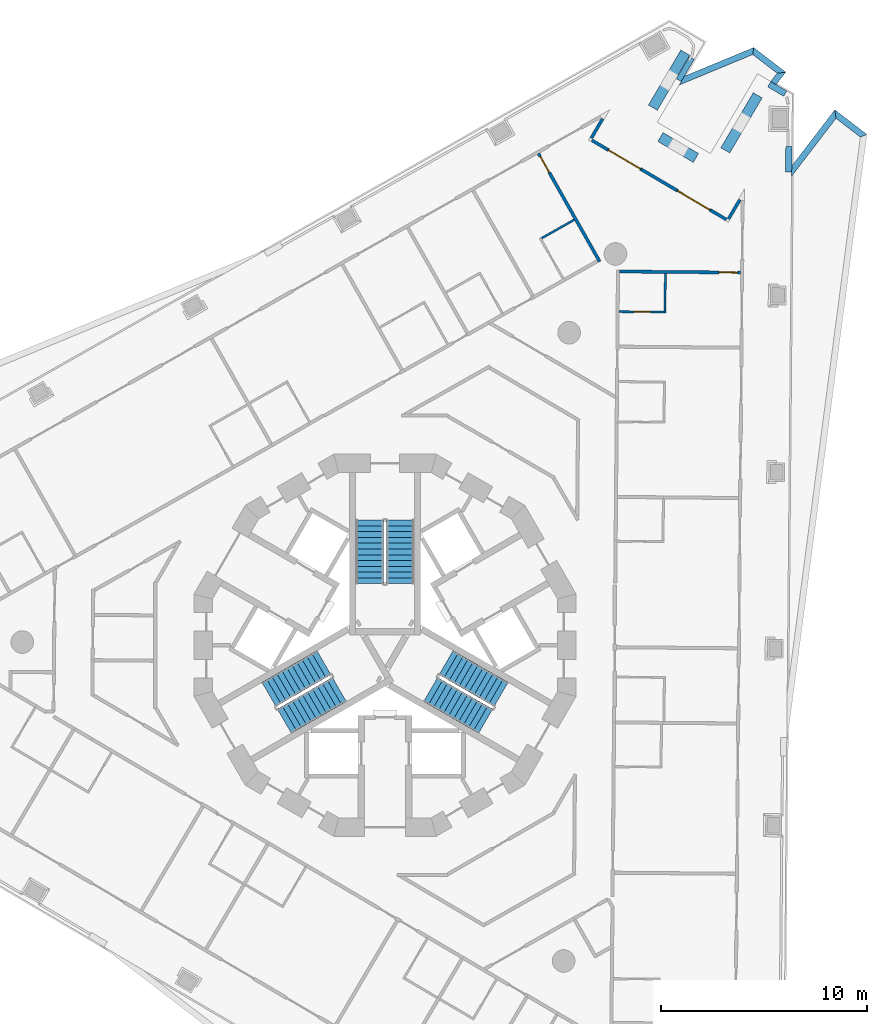
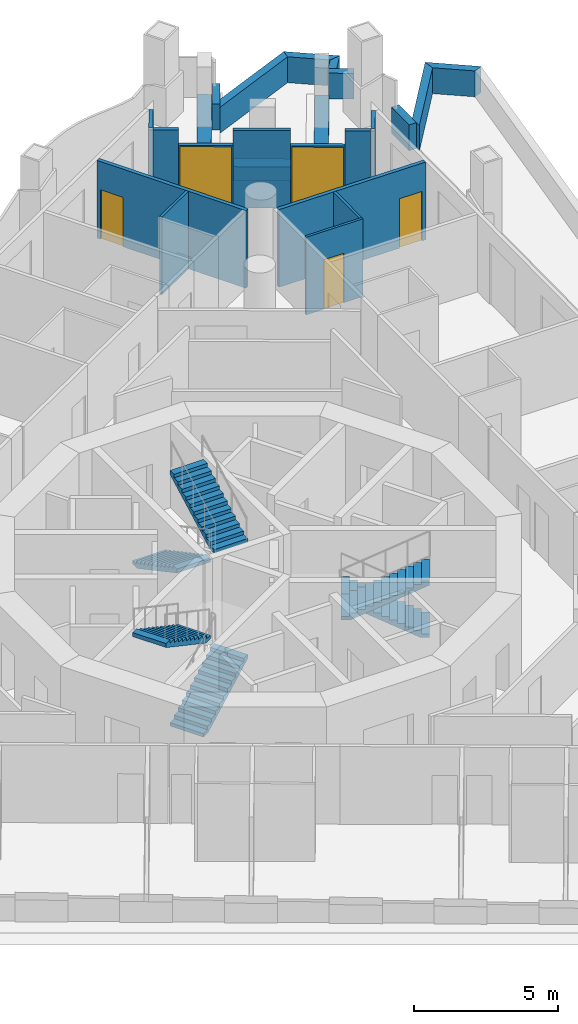
# One storey, part 10 of 18: 23 walls, 6 stair flights, 5 doors, 5 openings, 3 elements without a shape of their own.
"""IFC4 building model written with IfcOpenShell, lengths in metres."""

from ifc_helpers import new_model, si_unit, direction, frame, frame_2d, origin, place, context, subcontext, project, spatial, polyline, rectangle, outline, extrude, material, layer, layer_set, type_object, element, fill, aggregate, save


model = new_model("IFC4")

# Units and contexts
model_context = context("Model", 3, precision=1e-05, world=origin(), true_north=direction((0.0, 1.0)))
body_context = subcontext(model_context, "Body", "Model", "MODEL_VIEW")
ifc_project = project(units=[si_unit("LENGTHUNIT", "METRE"), si_unit("AREAUNIT", "SQUARE_METRE"), si_unit("VOLUMEUNIT", "CUBIC_METRE"), si_unit("PLANEANGLEUNIT", "RADIAN"), si_unit("MASSUNIT", "GRAM", prefix="KILO")], contexts=[model_context])

# Site, building, storey
site_placement = place(None, origin())
site = spatial("IfcSite", under=ifc_project, at=site_placement, CompositionType="ELEMENT")
building_placement = place(site_placement, origin())
building = spatial("IfcBuilding", under=site, at=building_placement, Name="Trine Commons Tower", CompositionType="ELEMENT")
storey_placement = place(building_placement, frame((0.0, 0.0, 161.10009765625)))
storey = spatial("IfcBuildingStorey", under=building, at=storey_placement, Name="L41", CompositionType="ELEMENT", Elevation=161.10009765625)

# Walls
ifc_material_1 = material(Name="Aluminium-framed insulated wall panel", Category="aluminium")
ifc_layer_1 = layer(ifc_material_1, 0.14990234375)
ifc_layer_set_1 = layer_set([ifc_layer_1], Name="Aluminium-framed insulated wall panel")
wall_type_1 = type_object("IfcWallType", Name="Glazed frame wall 150, EI 60", PredefinedType="SOLIDWALL", material=ifc_layer_set_1)
wall_1_placement = place(storey_placement, frame((90.63720703125, 88.173583984375, 0.0), z_axis=(0.0, 0.0, 1.0), x_axis=(-0.507591242276, -0.861598009958, 0.0)))
element("IfcWall", 1, at=wall_1_placement, inside=storey, type_object=wall_type_1, Name="Glazed frame wall R5", PredefinedType="SOLIDWALL", context=body_context, shape_type="SweptSolid", body=[
    extrude(outline(polyline([(0.1494140625, 0.074951171875), (0.1494140625, -0.074951171875), (1.235107421875, -0.074951171875), (1.235107421875, 0.074951171875), (0.1494140625, 0.074951171875)])), origin(), (0.0, 0.0, 1.0), 3.2998046875),
])
wall_2_placement = place(storey_placement, frame((89.9423828125, 87.062744140625, 0.0), z_axis=(0.0, 0.0, 1.0), x_axis=(0.861601384654, -0.50758551394, 0.0)))
element("IfcWall", 2, at=wall_2_placement, inside=storey, type_object=wall_type_1, Name="Glazed frame wall P2.1", PredefinedType="SOLIDWALL", context=body_context, shape_type="SweptSolid", body=[
    extrude(outline(polyline([(0.110107421875, -0.074951171875), (1.0, -0.074951171875), (1.0, 0.074951171875), (0.110107421875, 0.074951171875), (0.110107421875, -0.074951171875)])), origin(), (0.0, 0.0, 1.0), 3.2998046875),
])

# Wall, opening, door
wall_3_placement = place(storey_placement, frame((90.803955078125, 86.55517578125, 0.0), z_axis=(0.0, 0.0, 1.0), x_axis=(0.861603693734, -0.50758159437, 0.0)))
wall_3 = element("IfcWall", 3, at=wall_3_placement, inside=storey, type_object=wall_type_1, Name="Glazed frame wall P2.2", PredefinedType="SOLIDWALL", context=body_context, shape_type="SweptSolid", body=[
    extrude(outline(polyline([(0.0, -0.074951171875), (1.89990234375, -0.074951171875), (1.89990234375, 0.074951171875), (0.0, 0.074951171875), (0.0, -0.074951171875)])), origin(), (0.0, 0.0, 1.0), 2.64990234375),
])
opening_1_placement = place(wall_3_placement, frame((0.050048828125, 0.0, 0.0)))
opening_1 = element("IfcOpeningElement", 4, at=opening_1_placement, cuts=wall_3, Name="Opening BD-5P2-01", PredefinedType="OPENING", context=body_context, shape_type="SweptSolid", body=[
    extrude(rectangle(XDim=1.800048828125, YDim=2.60009765625, at=frame_2d((0.89990234375, 1.300048828125))), frame((0.0, 0.0849609375, 0.0), z_axis=(0.0, -1.0, 0.0), x_axis=(1.0, 0.0, 0.0)), (0.0, 0.0, 1.0), 0.169921875),
])
ifc_material_2 = material(Name="Anodised aluminium frame with double glazing", Category="aluminium")
door_type_1 = type_object("IfcDoorType", Name="Sliding loggia door 1800x2600", OperationType="SLIDING_TO_LEFT", PredefinedType="DOOR", material=ifc_material_2)
door_1_placement = place(opening_1_placement, origin())
door_1 = element("IfcDoor", 5, at=door_1_placement, inside=storey, type_object=door_type_1, Name="Loggia door P2 1", OperationType="SLIDING_TO_LEFT", OverallHeight=2.60009765625, OverallWidth=1.800048828125, PredefinedType="DOOR", context=body_context, shape_type="SweptSolid", body=[
    extrude(rectangle(XDim=1.800048828125, YDim=2.60009765625, at=frame_2d((0.89990234375, 1.300048828125))), frame((0.0, 0.02490234375, 0.0), z_axis=(0.0, -1.0, 0.0), x_axis=(1.0, 0.0, 0.0)), (0.0, 0.0, 1.0), 0.050048828125),
])
fill(opening_1, door_1)

# Wall
wall_4_placement = place(storey_placement, frame((92.44091796875, 85.5908203125, 0.0), z_axis=(0.0, 0.0, 1.0), x_axis=(0.861632831324, -0.507532130988, 0.0)))
element("IfcWall", 6, at=wall_4_placement, inside=storey, type_object=wall_type_1, Name="Glazed frame wall P2.3", PredefinedType="SOLIDWALL", context=body_context, shape_type="SweptSolid", body=[
    extrude(outline(polyline([(0.0, -0.074951171875), (2.0, -0.074951171875), (2.0, 0.074951171875), (0.0, 0.074951171875), (0.0, -0.074951171875)])), origin(), (0.0, 0.0, 1.0), 3.2998046875),
])

# Wall, opening, door
wall_5_placement = place(storey_placement, frame((94.164306640625, 84.57568359375, 0.0), z_axis=(0.0, 0.0, 1.0), x_axis=(0.86165989029, -0.507486190418, 0.0)))
wall_5 = element("IfcWall", 7, at=wall_5_placement, inside=storey, type_object=wall_type_1, Name="Glazed frame wall P2.4", PredefinedType="SOLIDWALL", context=body_context, shape_type="SweptSolid", body=[
    extrude(outline(polyline([(0.0, -0.074951171875), (1.89990234375, -0.074951171875), (1.89990234375, 0.074951171875), (0.0, 0.074951171875), (0.0, -0.074951171875)])), origin(), (0.0, 0.0, 1.0), 2.64990234375),
])
opening_2_placement = place(wall_5_placement, frame((0.050048828125, 0.0, 0.0)))
opening_2 = element("IfcOpeningElement", 8, at=opening_2_placement, cuts=wall_5, Name="Opening BD-5P2-02", PredefinedType="OPENING", context=body_context, shape_type="SweptSolid", body=[
    extrude(rectangle(XDim=1.800048828125, YDim=2.60009765625, at=frame_2d((0.89990234375, 1.300048828125))), frame((0.0, 0.0849609375, 0.0), z_axis=(0.0, -1.0, 0.0), x_axis=(1.0, 0.0, 0.0)), (0.0, 0.0, 1.0), 0.169921875),
])
door_2_placement = place(opening_2_placement, origin())
door_2 = element("IfcDoor", 9, at=door_2_placement, inside=storey, type_object=door_type_1, Name="Loggia door P2 2", OperationType="SLIDING_TO_LEFT", OverallHeight=2.60009765625, OverallWidth=1.800048828125, PredefinedType="DOOR", context=body_context, shape_type="SweptSolid", body=[
    extrude(rectangle(XDim=1.800048828125, YDim=2.60009765625, at=frame_2d((0.89990234375, 1.300048828125))), frame((0.0, 0.02490234375, 0.0), z_axis=(0.0, -1.0, 0.0), x_axis=(1.0, 0.0, 0.0)), (0.0, 0.0, 1.0), 0.050048828125),
])
fill(opening_2, door_2)

# Walls
wall_6_placement = place(storey_placement, frame((95.80126953125, 83.611572265625, 0.0), z_axis=(0.0, 0.0, 1.0), x_axis=(0.861664268073, -0.507478757315, 0.0)))
element("IfcWall", 10, at=wall_6_placement, inside=storey, type_object=wall_type_1, Name="Glazed frame wall P2.5", PredefinedType="SOLIDWALL", context=body_context, shape_type="SweptSolid", body=[
    extrude(outline(polyline([(0.889892578125, 0.074951171875), (0.0, 0.074951171875), (0.0, -0.074951171875), (0.889892578125, -0.074951171875), (0.889892578125, 0.074951171875)])), origin(), (0.0, 0.0, 1.0), 3.2998046875),
])
wall_7_placement = place(storey_placement, frame((96.614990234375, 83.091552734375, 0.0), z_axis=(0.0, 0.0, 1.0), x_axis=(0.507511857062, 0.86164477306, 0.0)))
element("IfcWall", 11, at=wall_7_placement, inside=storey, type_object=wall_type_1, Name="Glazed frame wall R7", PredefinedType="SOLIDWALL", context=body_context, shape_type="SweptSolid", body=[
    extrude(outline(polyline([(0.110107421875, 0.074951171875), (0.110107421875, -0.074951171875), (1.19580078125, -0.074951171875), (1.19580078125, 0.074951171875), (0.110107421875, 0.074951171875)])), origin(), (0.0, 0.0, 1.0), 3.2998046875),
])
ifc_material_3 = material(Name="Planter trough, precast concrete C40/50", Category="concrete")
ifc_layer_2 = layer(ifc_material_3, 0.5)
ifc_layer_set_2 = layer_set([ifc_layer_2], Name="Planter trough, precast concrete C40/50")
wall_type_2 = type_object("IfcWallType", Name="Planter trough 500x600", PredefinedType="PARAPET", material=ifc_layer_set_2)
wall_8_placement = place(storey_placement, frame((94.572509765625, 91.25830078125, 0.0), z_axis=(0.0, 0.0, 1.0), x_axis=(-0.507587916184, -0.861599969443, 0.0)))
element("IfcWall", 12, at=wall_8_placement, inside=storey, type_object=wall_type_2, Name="Planter 4", PredefinedType="PARAPET", context=body_context, shape_type="SweptSolid", body=[
    extrude(rectangle(XDim=3.099853515625, YDim=0.5, at=frame_2d((1.5498046875, 0.0))), origin(), (0.0, 0.0, 1.0), 0.599853515625),
])
wall_9_placement = place(storey_placement, frame((93.3671875, 87.163330078125, 0.0), z_axis=(0.0, 0.0, 1.0), x_axis=(0.861632831324, -0.507532130988, 0.0)))
element("IfcWall", 13, at=wall_9_placement, inside=storey, type_object=wall_type_2, Name="Planter 5", PredefinedType="PARAPET", context=body_context, shape_type="SweptSolid", body=[
    extrude(rectangle(XDim=2.000244140625, YDim=0.5, at=frame_2d((1.0, 0.0))), origin(), (0.0, 0.0, 1.0), 0.599853515625),
])
wall_10_placement = place(storey_placement, frame((96.514404296875, 86.5166015625, 0.0), z_axis=(0.0, 0.0, 1.0), x_axis=(0.507587916184, 0.861599969443, 0.0)))
element("IfcWall", 14, at=wall_10_placement, inside=storey, type_object=wall_type_2, Name="Planter 6", PredefinedType="PARAPET", context=body_context, shape_type="SweptSolid", body=[
    extrude(rectangle(XDim=3.099853515625, YDim=0.5, at=frame_2d((1.5498046875, 0.0))), origin(), (0.0, 0.0, 1.0), 0.599853515625),
])
ifc_material_4 = material(Name="Limestone, honed", Category="masonry")
ifc_layer_3 = layer(ifc_material_4, 0.300048828125)
ifc_layer_set_3 = layer_set([ifc_layer_3], Name="Limestone, honed")
wall_type_3 = type_object("IfcWallType", Name="Stone parapet 300", PredefinedType="PARAPET", material=ifc_layer_set_3)
wall_11_placement = place(storey_placement, origin())
element("IfcWall", 15, at=wall_11_placement, inside=storey, type_object=wall_type_3, Name="Sliver roof parapet L40 5.1", PredefinedType="PARAPET", context=body_context, shape_type="SweptSolid", body=[
    extrude(outline(polyline([(98.98388671875, 89.704345703125), (99.450927734375, 90.31298828125), (99.0302734375, 90.257568359375), (98.723388671875, 89.857666015625), (98.98388671875, 89.704345703125)])), origin(), (0.0, 0.0, 1.0), 1.099853515625),
])
wall_12_placement = place(storey_placement, origin())
element("IfcWall", 16, at=wall_12_placement, inside=storey, type_object=wall_type_3, Name="Sliver roof parapet L40 5.2", PredefinedType="PARAPET", context=body_context, shape_type="SweptSolid", body=[
    extrude(outline(polyline([(99.450927734375, 90.31298828125), (97.892578125, 91.508544921875), (97.847412109375, 91.165283203125), (99.0302734375, 90.257568359375), (99.450927734375, 90.31298828125)])), origin(), (0.0, 0.0, 1.0), 1.099853515625),
])
wall_13_placement = place(storey_placement, origin())
element("IfcWall", 17, at=wall_13_placement, inside=storey, type_object=wall_type_3, Name="Sliver roof parapet L40 5.3", PredefinedType="PARAPET", context=body_context, shape_type="SweptSolid", body=[
    extrude(outline(polyline([(97.892578125, 91.508544921875), (94.524658203125, 90.113525390625), (94.271728515625, 89.68408203125), (97.847412109375, 91.165283203125), (97.892578125, 91.508544921875)])), origin(), (0.0, 0.0, 1.0), 1.099853515625),
])
wall_14_placement = place(storey_placement, origin())
element("IfcWall", 18, at=wall_14_placement, inside=storey, type_object=wall_type_3, Name="Sliver roof parapet extension L40 5.X1", PredefinedType="PARAPET", context=body_context, shape_type="SweptSolid", body=[
    extrude(outline(polyline([(99.3486328125, 89.141357421875), (99.5009765625, 89.39990234375), (98.725341796875, 89.856689453125), (98.572998046875, 89.59814453125), (99.3486328125, 89.141357421875)])), origin(), (0.0, 0.0, 1.0), 1.099853515625),
])
wall_15_placement = place(storey_placement, origin())
element("IfcWall", 19, at=wall_15_placement, inside=storey, type_object=wall_type_3, Name="Sliver roof parapet extension L40 5.X2", PredefinedType="PARAPET", context=body_context, shape_type="SweptSolid", body=[
    extrude(outline(polyline([(94.139892578125, 89.9921875), (94.37255859375, 89.85498046875), (95.0068359375, 90.93212890625), (94.7744140625, 91.069091796875), (94.139892578125, 89.9921875)])), origin(), (0.0, 0.0, 1.0), 1.099853515625),
])
wall_16_placement = place(storey_placement, origin())
element("IfcWall", 20, at=wall_16_placement, inside=storey, type_object=wall_type_3, Name="Sliver roof parapet L40 6.2", PredefinedType="PARAPET", context=body_context, shape_type="SweptSolid", body=[
    extrude(outline(polyline([(103.38916015625, 87.291015625), (101.8310546875, 88.48681640625), (101.886474609375, 88.066162109375), (103.069091796875, 87.158447265625), (103.38916015625, 87.291015625)])), origin(), (0.0, 0.0, 1.0), 1.099853515625),
])
wall_17_placement = place(storey_placement, origin())
element("IfcWall", 21, at=wall_17_placement, inside=storey, type_object=wall_type_3, Name="Sliver roof parapet L40 6.3", PredefinedType="PARAPET", context=body_context, shape_type="SweptSolid", body=[
    extrude(outline(polyline([(101.8310546875, 88.48681640625), (99.7412109375, 85.76318359375), (99.73681640625, 85.264892578125), (101.886474609375, 88.066162109375), (101.8310546875, 88.48681640625)])), origin(), (0.0, 0.0, 1.0), 1.099853515625),
])
wall_18_placement = place(storey_placement, origin())
element("IfcWall", 22, at=wall_18_placement, inside=storey, type_object=wall_type_3, Name="Sliver roof parapet extension L40 6.X2", PredefinedType="PARAPET", context=body_context, shape_type="SweptSolid", body=[
    extrude(outline(polyline([(99.438720703125, 85.4658203125), (99.73876953125, 85.46337890625), (99.74951171875, 86.71337890625), (99.44970703125, 86.7158203125), (99.438720703125, 85.4658203125)])), origin(), (0.0, 0.0, 1.0), 1.099853515625),
])

# Wall, opening, door
ifc_material_5 = material(Name="Gypsum plasterboard on steel stud", Category="steel")
ifc_layer_4 = layer(ifc_material_5, 0.14990234375)
ifc_layer_set_4 = layer_set([ifc_layer_4], Name="Gypsum plasterboard on steel stud")
wall_type_4 = type_object("IfcWallType", Name="Unit and corridor wall 150 mm, EI 60", PredefinedType="PARTITIONING", material=ifc_layer_set_4)
wall_19_placement = place(storey_placement, frame((87.45263671875, 86.361083984375, 0.0), z_axis=(0.0, 0.0, 1.0), x_axis=(0.492389730591, -0.870374834889, 0.0)))
wall_19 = element("IfcWall", 23, at=wall_19_placement, inside=storey, type_object=wall_type_4, Name="Partition 096", PredefinedType="PARTITIONING", context=body_context, shape_type="SweptSolid", body=[
    extrude(rectangle(XDim=6.0244140625, YDim=0.14990234375, at=frame_2d((3.01220703125, 0.0))), origin(), (0.0, 0.0, 1.0), 3.2998046875),
])
opening_3_placement = place(wall_19_placement, frame((0.14990234375, 0.0, 0.0)))
opening_3 = element("IfcOpeningElement", 24, at=opening_3_placement, cuts=wall_19, Name="Opening D-5A12", PredefinedType="OPENING", context=body_context, shape_type="SweptSolid", body=[
    extrude(rectangle(XDim=0.89990234375, YDim=2.10009765625, at=frame_2d((0.449951171875, 1.050048828125))), frame((0.0, 0.0849609375, 0.0), z_axis=(0.0, -1.0, 0.0), x_axis=(1.0, 0.0, 0.0)), (0.0, 0.0, 1.0), 0.169921875),
])
ifc_material_6 = material(Name="Timber fire door set", Category="wood")
door_type_2 = type_object("IfcDoorType", Name="Bedroom door 900 x 2100, FD30S", OperationType="NOTDEFINED", PredefinedType="DOOR", material=ifc_material_6)
door_3_placement = place(opening_3_placement, frame((0.89990234375, 0.0, 0.0), z_axis=(0.0, 0.0, 1.0), x_axis=(-1.0, 0.0, 0.0)))
door_3 = element("IfcDoor", 25, at=door_3_placement, inside=storey, type_object=door_type_2, Name="Door D-5A12", OperationType="SINGLE_SWING_RIGHT", OverallHeight=2.10009765625, OverallWidth=0.89990234375, PredefinedType="DOOR", context=body_context, shape_type="SweptSolid", body=[
    extrude(rectangle(XDim=0.89990234375, YDim=2.10009765625, at=frame_2d((0.449951171875, 1.050048828125))), frame((0.0, 0.02490234375, 0.0), z_axis=(0.0, -1.0, 0.0), x_axis=(1.0, 0.0, 0.0)), (0.0, 0.0, 1.0), 0.050048828125),
])
fill(opening_3, door_3)

wall_20_placement = place(storey_placement, frame((91.382080078125, 80.63720703125, 0.0), z_axis=(0.0, 0.0, 1.0), x_axis=(0.999962273479, -0.008686289076, 0.0)))
wall_20 = element("IfcWall", 26, at=wall_20_placement, inside=storey, type_object=wall_type_4, Name="Partition 132", PredefinedType="PARTITIONING", context=body_context, shape_type="SweptSolid", body=[
    extrude(rectangle(XDim=5.874267578125, YDim=0.14990234375, at=frame_2d((2.93701171875, 0.0))), origin(), (0.0, 0.0, 1.0), 3.2998046875),
])
opening_4_placement = place(wall_20_placement, frame((4.82421875, 0.0, 0.0)))
opening_4 = element("IfcOpeningElement", 27, at=opening_4_placement, cuts=wall_20, Name="Opening D-5A13", PredefinedType="OPENING", context=body_context, shape_type="SweptSolid", body=[
    extrude(rectangle(XDim=0.89990234375, YDim=2.10009765625, at=frame_2d((0.449951171875, 1.050048828125))), frame((0.0, 0.0849609375, 0.0), z_axis=(0.0, -1.0, 0.0), x_axis=(1.0, 0.0, 0.0)), (0.0, 0.0, 1.0), 0.169921875),
])
door_4_placement = place(opening_4_placement, frame((0.89990234375, 0.0, 0.0), z_axis=(0.0, 0.0, 1.0), x_axis=(-1.0, 0.0, 0.0)))
door_4 = element("IfcDoor", 28, at=door_4_placement, inside=storey, type_object=door_type_2, Name="Door D-5A13", OperationType="SINGLE_SWING_LEFT", OverallHeight=2.10009765625, OverallWidth=0.89990234375, PredefinedType="DOOR", context=body_context, shape_type="SweptSolid", body=[
    extrude(rectangle(XDim=0.89990234375, YDim=2.10009765625, at=frame_2d((0.449951171875, 1.050048828125))), frame((0.0, 0.02490234375, 0.0), z_axis=(0.0, -1.0, 0.0), x_axis=(1.0, 0.0, 0.0)), (0.0, 0.0, 1.0), 0.050048828125),
])
fill(opening_4, door_4)

# Wall
ifc_layer_5 = layer(ifc_material_5, 0.10009765625)
ifc_layer_set_5 = layer_set([ifc_layer_5], Name="Gypsum plasterboard on steel stud")
wall_type_5 = type_object("IfcWallType", Name="Unit partition 100 mm, no rating", PredefinedType="PARTITIONING", material=ifc_layer_set_5)
wall_21_placement = place(storey_placement, frame((87.595458984375, 82.24853515625, 0.0), z_axis=(0.0, 0.0, 1.0), x_axis=(0.870251448743, 0.492607770909, 0.0)))
element("IfcWall", 29, at=wall_21_placement, inside=storey, type_object=wall_type_5, Name="Partition 098", PredefinedType="PARTITIONING", context=body_context, shape_type="SweptSolid", body=[
    extrude(rectangle(XDim=1.826416015625, YDim=0.10009765625, at=frame_2d((0.9130859375, 0.0))), origin(), (0.0, 0.0, 1.0), 3.2998046875),
])

# Wall, opening, door
wall_22_placement = place(storey_placement, frame((91.364990234375, 78.687255859375, 0.0), z_axis=(0.0, 0.0, 1.0), x_axis=(0.999962219299, -0.008692524121, 0.0)))
wall_22 = element("IfcWall", 30, at=wall_22_placement, inside=storey, type_object=wall_type_5, Name="Partition 131", PredefinedType="PARTITIONING", context=body_context, shape_type="SweptSolid", body=[
    extrude(rectangle(XDim=2.27490234375, YDim=0.10009765625, at=frame_2d((1.137451171875, 0.0))), origin(), (0.0, 0.0, 1.0), 3.2998046875),
])
opening_5_placement = place(wall_22_placement, frame((0.71240234375, 0.0, 0.0)))
opening_5 = element("IfcOpeningElement", 31, at=opening_5_placement, cuts=wall_22, Name="Opening D-5A38", PredefinedType="OPENING", context=body_context, shape_type="SweptSolid", body=[
    extrude(rectangle(XDim=0.800048828125, YDim=2.10009765625, at=frame_2d((0.39990234375, 1.050048828125))), frame((0.0, 0.06005859375, 0.0), z_axis=(0.0, -1.0, 0.0), x_axis=(1.0, 0.0, 0.0)), (0.0, 0.0, 1.0), 0.1201171875),
])
ifc_material_7 = material(Name="Painted timber", Category="wood")
door_type_3 = type_object("IfcDoorType", Name="Internal door 800 x 2100, NOT RATED", OperationType="NOTDEFINED", PredefinedType="DOOR", material=ifc_material_7)
door_5_placement = place(opening_5_placement, frame((0.800048828125, 0.0, 0.0), z_axis=(0.0, 0.0, 1.0), x_axis=(-1.0, 0.0, 0.0)))
door_5 = element("IfcDoor", 32, at=door_5_placement, inside=storey, type_object=door_type_3, Name="Door D-5A38", OperationType="SINGLE_SWING_RIGHT", OverallHeight=2.10009765625, OverallWidth=0.800048828125, PredefinedType="DOOR", context=body_context, shape_type="SweptSolid", body=[
    extrude(rectangle(XDim=0.800048828125, YDim=2.10009765625, at=frame_2d((0.39990234375, 1.050048828125))), frame((0.0, 0.02490234375, 0.0), z_axis=(0.0, -1.0, 0.0), x_axis=(1.0, 0.0, 0.0)), (0.0, 0.0, 1.0), 0.050048828125),
])
fill(opening_5, door_5)

# Wall
wall_23_placement = place(storey_placement, frame((93.59033203125, 78.718017578125, 0.0), z_axis=(0.0, 0.0, 1.0), x_axis=(0.008695323434, 0.999962194961, 0.0)))
element("IfcWall", 33, at=wall_23_placement, inside=storey, type_object=wall_type_5, Name="Partition 140", PredefinedType="PARTITIONING", context=body_context, shape_type="SweptSolid", body=[
    extrude(rectangle(XDim=1.824951171875, YDim=0.10009765625, at=frame_2d((0.91259765625, 0.0))), origin(), (0.0, 0.0, 1.0), 3.2998046875),
])

# Stair, stair flights
ifc_material_8 = material(Name="Concrete C50/60", Category="concrete")
stair_type = type_object("IfcStairType", Name="Exit stair, dog-leg, 24 risers of 150 mm", PredefinedType="HALF_TURN_STAIR", material=ifc_material_8)
stair_1_placement = place(storey_placement, origin())
stair_1 = element("IfcStair", 34, at=stair_1_placement, inside=storey, type_object=stair_type, Name="L41 Exit stair ST1B", PredefinedType="HALF_TURN_STAIR")
stair_flight_type = type_object("IfcStairFlightType", Name="Stair flight, 1350 wide, 12 risers of 150 mm", PredefinedType="STRAIGHT", material=ifc_material_8)
stair_flight_1_placement = place(storey_placement, frame((79.25, 68.570556640625, 0.0), z_axis=(0.0, 0.0, 1.0), x_axis=(0.0, -1.0, 0.0)))
stair_flight_1 = element("IfcStairFlight", 35, at=stair_flight_1_placement, type_object=stair_flight_type, Name="ST1B flight 1", NumberOfRisers=12, NumberOfTreads=11, PredefinedType="STRAIGHT", RiserHeight=0.15, TreadLength=0.28, context=body_context, shape_type="SweptSolid", body=[
    extrude(outline(polyline([(0.0, 0.0), (0.0, 0.14990234375), (0.280029296875, 0.14990234375), (0.280029296875, 0.300048828125), (0.56005859375, 0.300048828125), (0.56005859375, 0.449951171875), (0.840087890625, 0.449951171875), (0.840087890625, 0.60009765625), (1.1201171875, 0.60009765625), (1.1201171875, 0.75), (1.39990234375, 0.75), (1.39990234375, 0.89990234375), (1.679931640625, 0.89990234375), (1.679931640625, 1.050048828125), (1.9599609375, 1.050048828125), (1.9599609375, 1.199951171875), (2.239990234375, 1.199951171875), (2.239990234375, 1.35009765625), (2.52001953125, 1.35009765625), (2.52001953125, 1.5), (2.800048828125, 1.5), (2.800048828125, 1.64990234375), (3.080078125, 1.64990234375), (3.080078125, 1.800048828125), (3.080078125, 1.47998046875), (0.3173828125, 0.0), (0.0, 0.0)])), frame((0.0, 0.675048828125, 0.0), z_axis=(0.0, -1.0, 0.0), x_axis=(1.0, 0.0, 0.0)), (0.0, 0.0, 1.0), 1.35009765625),
])
stair_flight_2_placement = place(storey_placement, frame((80.75, 65.490478515625, 1.7998046875), z_axis=(0.0, 0.0, 1.0), x_axis=(0.0, 1.0, 0.0)))
stair_flight_2 = element("IfcStairFlight", 36, at=stair_flight_2_placement, type_object=stair_flight_type, Name="ST1B flight 2", NumberOfRisers=12, NumberOfTreads=11, PredefinedType="STRAIGHT", RiserHeight=0.15, TreadLength=0.28, context=body_context, shape_type="SweptSolid", body=[
    extrude(outline(polyline([(0.0, 0.0), (0.0, 0.14990234375), (0.280029296875, 0.14990234375), (0.280029296875, 0.300048828125), (0.56005859375, 0.300048828125), (0.56005859375, 0.449951171875), (0.840087890625, 0.449951171875), (0.840087890625, 0.60009765625), (1.1201171875, 0.60009765625), (1.1201171875, 0.75), (1.39990234375, 0.75), (1.39990234375, 0.89990234375), (1.679931640625, 0.89990234375), (1.679931640625, 1.050048828125), (1.9599609375, 1.050048828125), (1.9599609375, 1.199951171875), (2.239990234375, 1.199951171875), (2.239990234375, 1.35009765625), (2.52001953125, 1.35009765625), (2.52001953125, 1.5), (2.800048828125, 1.5), (2.800048828125, 1.64990234375), (3.080078125, 1.64990234375), (3.080078125, 1.800048828125), (3.080078125, 1.47998046875), (0.3173828125, 0.0), (0.0, 0.0)])), frame((0.0, 0.675048828125, 0.0), z_axis=(0.0, -1.0, 0.0), x_axis=(1.0, 0.0, 0.0)), (0.0, 0.0, 1.0), 1.35009765625),
])
aggregate(stair_1, [stair_flight_1, stair_flight_2])

stair_2_placement = place(storey_placement, origin())
stair_2 = element("IfcStair", 37, at=stair_2_placement, inside=storey, type_object=stair_type, Name="L41 Exit stair ST2B", PredefinedType="HALF_TURN_STAIR")
stair_flight_3_placement = place(storey_placement, frame((75.11767578125, 58.815185546875, 0.0), z_axis=(0.0, 0.0, 1.0), x_axis=(0.866025403784, 0.5, 0.0)))
stair_flight_3 = element("IfcStairFlight", 38, at=stair_flight_3_placement, type_object=stair_flight_type, Name="ST2B flight 1", NumberOfRisers=12, NumberOfTreads=11, PredefinedType="STRAIGHT", RiserHeight=0.15, TreadLength=0.28, context=body_context, shape_type="SweptSolid", body=[
    extrude(outline(polyline([(0.0, 0.0), (0.0, 0.14990234375), (0.280029296875, 0.14990234375), (0.280029296875, 0.300048828125), (0.56005859375, 0.300048828125), (0.56005859375, 0.449951171875), (0.840087890625, 0.449951171875), (0.840087890625, 0.60009765625), (1.1201171875, 0.60009765625), (1.1201171875, 0.75), (1.39990234375, 0.75), (1.39990234375, 0.89990234375), (1.679931640625, 0.89990234375), (1.679931640625, 1.050048828125), (1.9599609375, 1.050048828125), (1.9599609375, 1.199951171875), (2.239990234375, 1.199951171875), (2.239990234375, 1.35009765625), (2.52001953125, 1.35009765625), (2.52001953125, 1.5), (2.800048828125, 1.5), (2.800048828125, 1.64990234375), (3.080078125, 1.64990234375), (3.080078125, 1.800048828125), (3.080078125, 1.47998046875), (0.3173828125, 0.0), (0.0, 0.0)])), frame((0.0, 0.675048828125, 0.0), z_axis=(0.0, -1.0, 0.0), x_axis=(1.0, 0.0, 0.0)), (0.0, 0.0, 1.0), 1.35009765625),
])
stair_flight_4_placement = place(storey_placement, frame((77.03515625, 61.654296875, 1.7998046875), z_axis=(0.0, 0.0, 1.0), x_axis=(-0.866025403784, -0.5, 0.0)))
stair_flight_4 = element("IfcStairFlight", 39, at=stair_flight_4_placement, type_object=stair_flight_type, Name="ST2B flight 2", NumberOfRisers=12, NumberOfTreads=11, PredefinedType="STRAIGHT", RiserHeight=0.15, TreadLength=0.28, context=body_context, shape_type="SweptSolid", body=[
    extrude(outline(polyline([(0.0, 0.0), (0.0, 0.14990234375), (0.280029296875, 0.14990234375), (0.280029296875, 0.300048828125), (0.56005859375, 0.300048828125), (0.56005859375, 0.449951171875), (0.840087890625, 0.449951171875), (0.840087890625, 0.60009765625), (1.1201171875, 0.60009765625), (1.1201171875, 0.75), (1.39990234375, 0.75), (1.39990234375, 0.89990234375), (1.679931640625, 0.89990234375), (1.679931640625, 1.050048828125), (1.9599609375, 1.050048828125), (1.9599609375, 1.199951171875), (2.239990234375, 1.199951171875), (2.239990234375, 1.35009765625), (2.52001953125, 1.35009765625), (2.52001953125, 1.5), (2.800048828125, 1.5), (2.800048828125, 1.64990234375), (3.080078125, 1.64990234375), (3.080078125, 1.800048828125), (3.080078125, 1.47998046875), (0.3173828125, 0.0), (0.0, 0.0)])), frame((0.0, 0.675048828125, 0.0), z_axis=(0.0, -1.0, 0.0), x_axis=(1.0, 0.0, 0.0)), (0.0, 0.0, 1.0), 1.35009765625),
])
aggregate(stair_2, [stair_flight_3, stair_flight_4])

stair_3_placement = place(storey_placement, origin())
stair_3 = element("IfcStair", 40, at=stair_3_placement, inside=storey, type_object=stair_type, Name="L41 Exit stair ST3B", PredefinedType="HALF_TURN_STAIR")
stair_flight_5_placement = place(storey_placement, frame((85.63232421875, 60.1142578125, 0.0), z_axis=(0.0, 0.0, 1.0), x_axis=(-0.866025403784, 0.5, 0.0)))
stair_flight_5 = element("IfcStairFlight", 41, at=stair_flight_5_placement, type_object=stair_flight_type, Name="ST3B flight 1", NumberOfRisers=12, NumberOfTreads=11, PredefinedType="STRAIGHT", RiserHeight=0.15, TreadLength=0.28, context=body_context, shape_type="SweptSolid", body=[
    extrude(outline(polyline([(0.0, 0.0), (0.0, 0.14990234375), (0.280029296875, 0.14990234375), (0.280029296875, 0.300048828125), (0.56005859375, 0.300048828125), (0.56005859375, 0.449951171875), (0.840087890625, 0.449951171875), (0.840087890625, 0.60009765625), (1.1201171875, 0.60009765625), (1.1201171875, 0.75), (1.39990234375, 0.75), (1.39990234375, 0.89990234375), (1.679931640625, 0.89990234375), (1.679931640625, 1.050048828125), (1.9599609375, 1.050048828125), (1.9599609375, 1.199951171875), (2.239990234375, 1.199951171875), (2.239990234375, 1.35009765625), (2.52001953125, 1.35009765625), (2.52001953125, 1.5), (2.800048828125, 1.5), (2.800048828125, 1.64990234375), (3.080078125, 1.64990234375), (3.080078125, 1.800048828125), (3.080078125, 1.47998046875), (0.3173828125, 0.0), (0.0, 0.0)])), frame((0.0, 0.675048828125, 0.0), z_axis=(0.0, -1.0, 0.0), x_axis=(1.0, 0.0, 0.0)), (0.0, 0.0, 1.0), 1.35009765625),
])
stair_flight_6_placement = place(storey_placement, frame((82.21484375, 60.355224609375, 1.7998046875), z_axis=(0.0, 0.0, 1.0), x_axis=(0.866025403784, -0.5, 0.0)))
stair_flight_6 = element("IfcStairFlight", 42, at=stair_flight_6_placement, type_object=stair_flight_type, Name="ST3B flight 2", NumberOfRisers=12, NumberOfTreads=11, PredefinedType="STRAIGHT", RiserHeight=0.15, TreadLength=0.28, context=body_context, shape_type="SweptSolid", body=[
    extrude(outline(polyline([(0.0, 0.0), (0.0, 0.14990234375), (0.280029296875, 0.14990234375), (0.280029296875, 0.300048828125), (0.56005859375, 0.300048828125), (0.56005859375, 0.449951171875), (0.840087890625, 0.449951171875), (0.840087890625, 0.60009765625), (1.1201171875, 0.60009765625), (1.1201171875, 0.75), (1.39990234375, 0.75), (1.39990234375, 0.89990234375), (1.679931640625, 0.89990234375), (1.679931640625, 1.050048828125), (1.9599609375, 1.050048828125), (1.9599609375, 1.199951171875), (2.239990234375, 1.199951171875), (2.239990234375, 1.35009765625), (2.52001953125, 1.35009765625), (2.52001953125, 1.5), (2.800048828125, 1.5), (2.800048828125, 1.64990234375), (3.080078125, 1.64990234375), (3.080078125, 1.800048828125), (3.080078125, 1.47998046875), (0.3173828125, 0.0), (0.0, 0.0)])), frame((0.0, 0.675048828125, 0.0), z_axis=(0.0, -1.0, 0.0), x_axis=(1.0, 0.0, 0.0)), (0.0, 0.0, 1.0), 1.35009765625),
])
aggregate(stair_3, [stair_flight_5, stair_flight_6])

save(model, "model.ifc")
